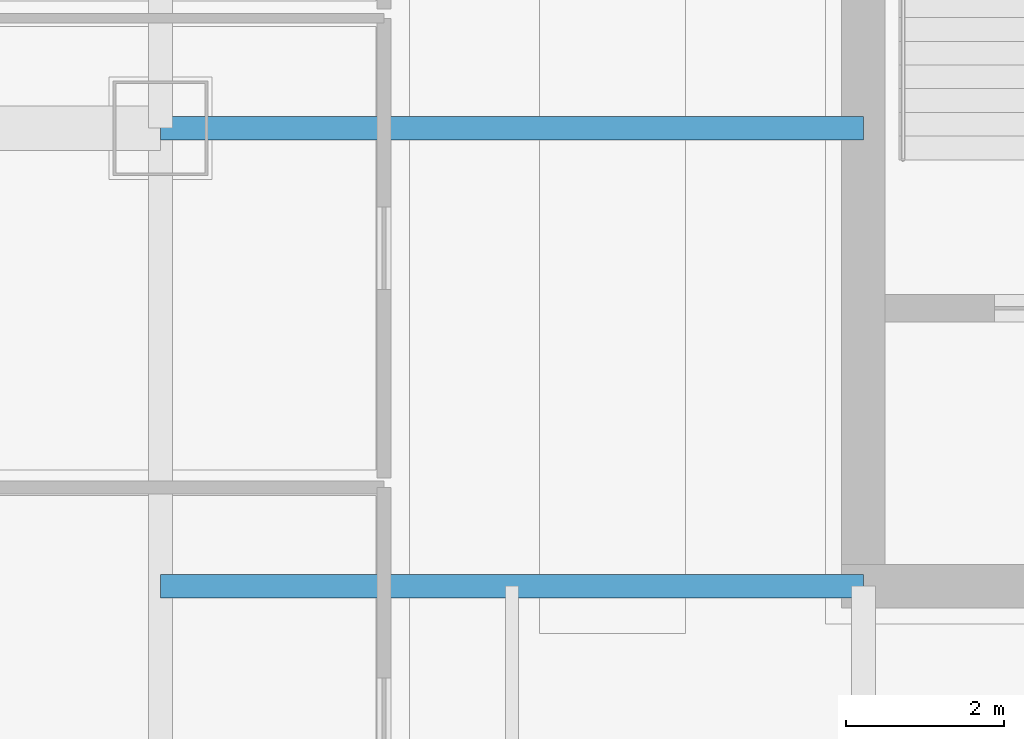
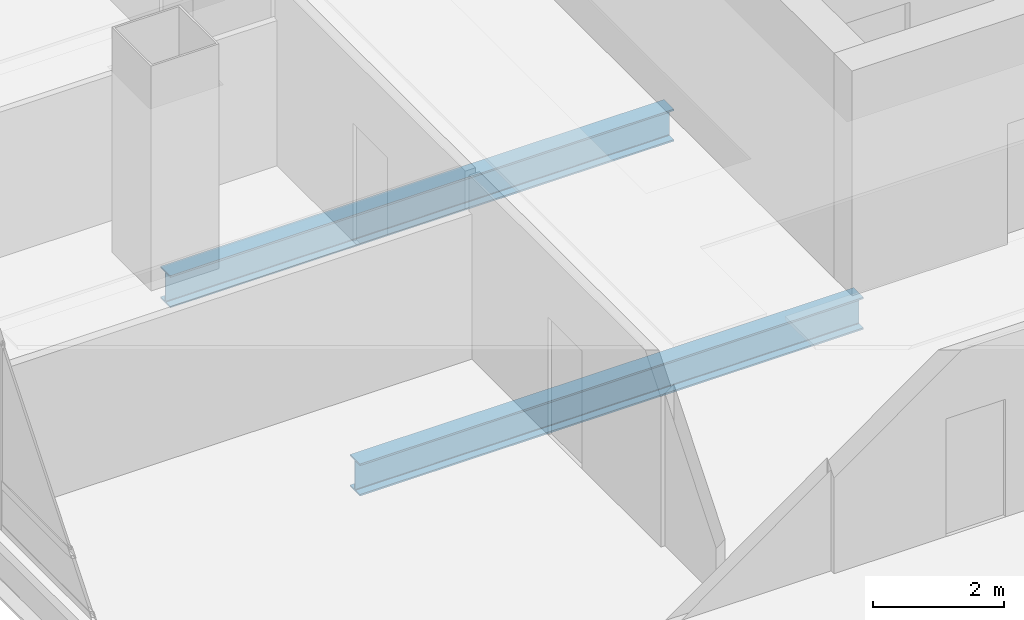
# One storey, part 6 of 42: 2 beams.
"""IFC4 building model written with IfcOpenShell, lengths in metres."""

import ifcopenshell
import ifcopenshell.guid

model = None  # the IFC model being written
_history = None  # IfcOwnerHistory: only IFC2X3 demands one
_inside = {}  # id of a spatial element -> (the spatial element, [elements in it])
_under = {}  # id of a project, library or spatial element -> (it, [spatial elements below it])
_declared = {}  # id of a project -> (the project, [libraries it declares])
_typed = {}  # id of a type object -> (the type object, [elements of that type])
_made_of = {}  # id of a material, layer set ... -> (it, [elements and type objects made of it])


def new_model(schema):
    """Start an empty IFC model of exactly this schema.

    Asked for "IFC4X3", IfcOpenShell would pick the latest addendum, in which some entities
    have other attributes; the version numbers below select the first issue.
    IFC2X3 requires an IfcOwnerHistory on every rooted entity: one is made here for all.
    """
    global model, _history
    if schema == "IFC4X3":
        model = ifcopenshell.file(schema_version=(4, 3, 0, 0))
    else:
        model = ifcopenshell.file(schema=schema)
    _inside.clear()
    _under.clear()
    _declared.clear()
    _typed.clear()
    _made_of.clear()
    _history = None
    if model.schema == "IFC2X3":
        org = make("IfcOrganization", Name="unknown")
        user = make(
            "IfcPersonAndOrganization",
            ThePerson=make("IfcPerson", FamilyName="unknown"),
            TheOrganization=org,
        )
        app = make(
            "IfcApplication",
            ApplicationDeveloper=org,
            Version="unknown",
            ApplicationFullName="unknown",
            ApplicationIdentifier="unknown",
        )
        _history = make(
            "IfcOwnerHistory",
            OwningUser=user,
            OwningApplication=app,
            ChangeAction="ADDED",
            CreationDate=0,
        )
    return model


def make(cls, **values):
    """One entity of the class cls with the attributes given. An attribute that is None is left unset."""
    return model.create_entity(
        cls, **{name: value for name, value in values.items() if value is not None}
    )


def rooted(cls, **values):
    """An entity with a GlobalId (a new one), such as an element, a storey or a relation."""
    return make(cls, GlobalId=ifcopenshell.guid.new(), OwnerHistory=_history, **values)


def si_unit(unit_type, name, prefix=None):
    """IfcSIUnit, for example si_unit("LENGTHUNIT", "METRE", prefix="MILLI")."""
    return make("IfcSIUnit", UnitType=unit_type, Prefix=prefix, Name=name)


def assignment(units):
    """IfcUnitAssignment: the units of a project."""
    return None if units is None else make("IfcUnitAssignment", Units=units)


def point(xyz):
    """IfcCartesianPoint."""
    return None if xyz is None else make("IfcCartesianPoint", Coordinates=xyz)


def direction(xyz):
    """IfcDirection."""
    return None if xyz is None else make("IfcDirection", DirectionRatios=xyz)


def frame(location, z_axis=None, x_axis=None):
    """IfcAxis2Placement3D, a coordinate frame: its origin and axes. An axis left out is left unset."""
    return make(
        "IfcAxis2Placement3D",
        Location=point(location),
        Axis=direction(z_axis),
        RefDirection=direction(x_axis),
    )


def frame_2d(location, x_axis=None):
    """IfcAxis2Placement2D, a coordinate frame in the plane: its origin and x axis."""
    return make(
        "IfcAxis2Placement2D", Location=point(location), RefDirection=direction(x_axis)
    )


def origin():
    """The frame at (0, 0, 0) with its axes left unset."""
    return frame((0.0, 0.0, 0.0))


def origin_2d():
    """The frame at (0, 0) in the plane with its x axis left unset."""
    return frame_2d((0.0, 0.0))


def place(relative_to, where):
    """IfcLocalPlacement: puts the frame where relative to a parent placement (None: the world)."""
    return make(
        "IfcLocalPlacement", PlacementRelTo=relative_to, RelativePlacement=where
    )


def context(
    kind, dimensions, precision=None, world=None, true_north=None, identifier=None
):
    """IfcGeometricRepresentationContext, for example the 3D "Model" context."""
    return make(
        "IfcGeometricRepresentationContext",
        ContextIdentifier=identifier,
        ContextType=kind,
        CoordinateSpaceDimension=dimensions,
        Precision=precision,
        WorldCoordinateSystem=world,
        TrueNorth=true_north,
    )


def subcontext(parent, identifier, kind, view, scale=None):
    """IfcGeometricRepresentationSubContext, for example "Body" below "Model"."""
    return make(
        "IfcGeometricRepresentationSubContext",
        ContextIdentifier=identifier,
        ContextType=kind,
        ParentContext=parent,
        TargetScale=scale,
        TargetView=view,
    )


def project(units=None, contexts=None):
    """IfcProject with its units and contexts."""
    return rooted(
        "IfcProject",
        Name="project",
        RepresentationContexts=contexts,
        UnitsInContext=assignment(units),
    )


def spatial(cls, under=None, at=None, **own):
    """A site, building, storey or space (cls), placed at a placement, below another one or the project."""
    s = rooted(cls, ObjectPlacement=at, **own)
    if under is not None:
        _under.setdefault(under.id(), (under, []))[1].append(s)
    return s


def profile(cls, at=None, kind="AREA", **sizes):
    """A parametric profile (cls). Its sizes go by their IFC names, for example OverallWidth=200.0."""
    return make(cls, ProfileType=kind, Position=at, **sizes)


def i_section(**sizes):
    """IfcIShapeProfileDef."""
    return profile("IfcIShapeProfileDef", **sizes)


def extrude(swept, where, along, depth):
    """IfcExtrudedAreaSolid: the profile swept, set in the frame where, extruded along a direction by depth."""
    return make(
        "IfcExtrudedAreaSolid",
        SweptArea=swept,
        Position=where,
        ExtrudedDirection=direction(along),
        Depth=depth,
    )


def shape(context_of_items, identifier, shape_type, items):
    """IfcShapeRepresentation: the items that make up one representation, for example the "Body"."""
    return make(
        "IfcShapeRepresentation",
        ContextOfItems=context_of_items,
        RepresentationIdentifier=identifier,
        RepresentationType=shape_type,
        Items=items,
    )


def material(Name=None, Category=None):
    """IfcMaterial."""
    return make("IfcMaterial", Name=Name, Category=Category)


def material_profile(
    of_material, cross_section, Name=None, Category=None, Priority=None
):
    """IfcMaterialProfile: a cross section and its material."""
    return make(
        "IfcMaterialProfile",
        Name=Name,
        Material=of_material,
        Profile=cross_section,
        Priority=Priority,
        Category=Category,
    )


def profile_set(profiles, Name=None, composite=None):
    """IfcMaterialProfileSet."""
    return make(
        "IfcMaterialProfileSet",
        Name=Name,
        MaterialProfiles=profiles,
        CompositeProfile=composite,
    )


def made_of(thing, what):
    """Note that an element or type object is made of a material, layer set ...; save() writes the relation."""
    if what is not None:
        _made_of.setdefault(what.id(), (what, []))[1].append(thing)
    return thing


def type_object(cls, material=None, **own):
    """A type object (cls), such as IfcWallType, which elements share."""
    return made_of(rooted(cls, **own), material)


def element(
    cls,
    number,
    at=None,
    inside=None,
    cuts=None,
    type_object=None,
    material=None,
    context=None,
    identifier="Body",
    shape_type=None,
    held_by="IfcProductDefinitionShape",
    body=None,
    shapes=None,
    **own,
):
    """One element of the class cls, such as IfcWall. Its Tag is "e" and its number.

    at: its placement. inside: the storey or other place that contains it. cuts: it is an
    opening in that element (IfcRelVoidsElement). A single representation is given by context,
    identifier, shape_type and body (its items); several are given by shapes. held_by: the class
    of the entity that holds the representations. save() writes the other relations.
    """
    e = rooted(cls, Tag="e%d" % number, ObjectPlacement=at, **own)
    if body is not None:
        shapes = [shape(context, identifier, shape_type, body)]
    if shapes is not None:
        e.Representation = make(held_by, Representations=shapes)
    if inside is not None:
        _inside.setdefault(inside.id(), (inside, []))[1].append(e)
    if cuts is not None:
        rooted(
            "IfcRelVoidsElement", RelatingBuildingElement=cuts, RelatedOpeningElement=e
        )
    if type_object is not None:
        _typed.setdefault(type_object.id(), (type_object, []))[1].append(e)
    return made_of(e, material)


def aggregate(whole, parts):
    """IfcRelAggregates: a whole, such as a stair, and the parts it consists of."""
    return rooted("IfcRelAggregates", RelatingObject=whole, RelatedObjects=parts)


def save(model, path):
    """Write the relations noted so far, then the file.

    IfcRelAggregates (storeys below a building ...), IfcRelContainedInSpatialStructure (elements
    in a storey), IfcRelDefinesByType, IfcRelAssociatesMaterial and IfcRelDeclares: one each for
    every whole, place, type object, material and project.
    """
    for whole, parts in _under.values():
        aggregate(whole, parts)
    for where, things in _inside.values():
        rooted(
            "IfcRelContainedInSpatialStructure",
            RelatedElements=things,
            RelatingStructure=where,
        )
    for kind, things in _typed.values():
        rooted("IfcRelDefinesByType", RelatedObjects=things, RelatingType=kind)
    for what, things in _made_of.values():
        rooted("IfcRelAssociatesMaterial", RelatedObjects=things, RelatingMaterial=what)
    for by, libraries in _declared.values():
        rooted("IfcRelDeclares", RelatingContext=by, RelatedDefinitions=libraries)
    model.write(path)


model = new_model("IFC4")

# Units and contexts
model_context = context("Model", 3, precision=1e-05, world=origin(), true_north=direction((0.0, 1.0)))
body_context = subcontext(model_context, "Body", "Model", "MODEL_VIEW")
ifc_project = project(units=[si_unit("LENGTHUNIT", "METRE"), si_unit("AREAUNIT", "SQUARE_METRE"), si_unit("VOLUMEUNIT", "CUBIC_METRE"), si_unit("PLANEANGLEUNIT", "RADIAN"), si_unit("MASSUNIT", "GRAM", prefix="KILO")], contexts=[model_context])

# Site, building, storey
site_placement = place(None, origin())
site = spatial("IfcSite", under=ifc_project, at=site_placement, CompositionType="ELEMENT")
building_placement = place(site_placement, origin())
building = spatial("IfcBuilding", under=site, at=building_placement, Name="Punatoya Terracotta Tower", CompositionType="ELEMENT")
storey_placement = place(building_placement, frame((0.0, 0.0, 296.39990234375)))
storey = spatial("IfcBuildingStorey", under=building, at=storey_placement, Name="L70", CompositionType="ELEMENT", Elevation=296.39990234375)

# Beams
ifc_material = material(Name="Steel S355", Category="steel")
ifc_material_profile = material_profile(ifc_material, i_section(OverallWidth=0.300048828125, OverallDepth=0.60009765625, WebThickness=0.015380859375, FlangeThickness=0.030029296875, FilletRadius=0.01806640625, at=origin_2d()))
ifc_profile_set = profile_set([ifc_material_profile], Name="Steel S355")
beam_type = type_object("IfcBeamType", Name="BM-PRI-600", PredefinedType="BEAM", material=ifc_profile_set)
for number, where, z_axis, x_axis, name in (
    (1, (-19.10009765625, -9.199951171875, -0.5), (1.0, 0.0, 0.0), (0.0, 1.0, 0.0), "BM-L70-PR-WS"),
    (2, (-19.10009765625, -3.39990234375, -0.5), (1.0, 0.0, 0.0), (0.0, 1.0, 0.0), "BM-L70-PR-WD"),
):
    element("IfcBeam", number, at=place(storey_placement, frame(where, z_axis=z_axis, x_axis=x_axis)), inside=storey, type_object=beam_type, Name=name, PredefinedType="BEAM", context=body_context, shape_type="SweptSolid", body=[
        extrude(i_section(OverallWidth=0.300048828125, OverallDepth=0.60009765625, WebThickness=0.015380859375, FlangeThickness=0.030029296875, FilletRadius=0.01806640625, at=origin_2d()), origin(), (0.0, 0.0, 1.0), 8.900146484375),
    ])

save(model, "model.ifc")
